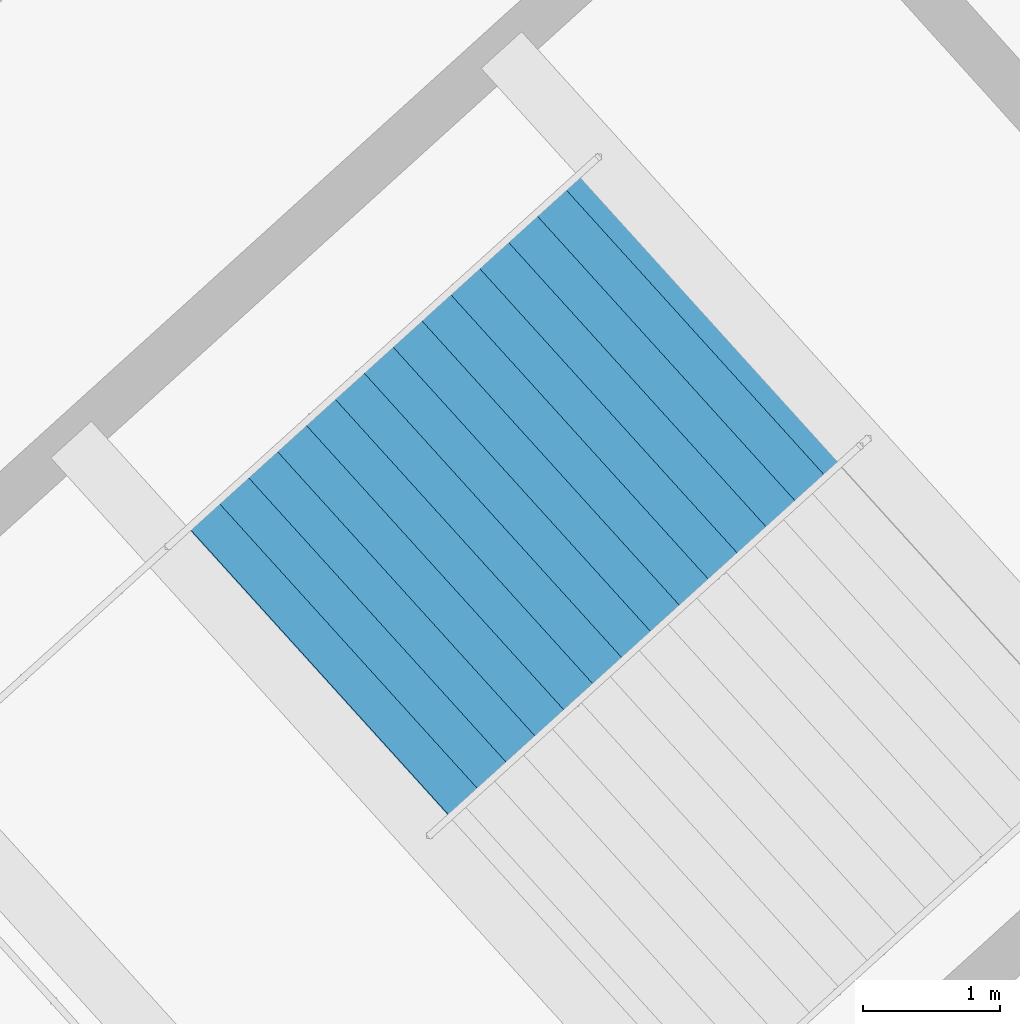
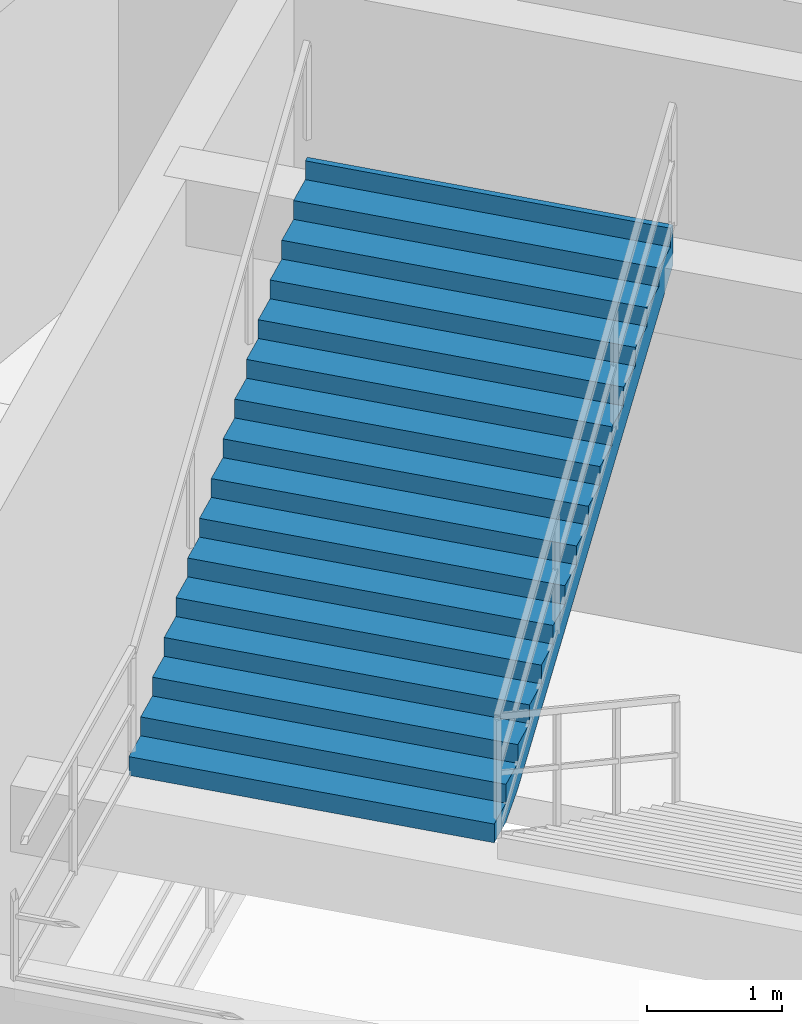
# One storey, part 91 of 103: 1 stair flight, 1 element without a shape of its own.
"""IFC4 building model written with IfcOpenShell, lengths in metres."""

from ifc_helpers import new_model, si_unit, direction, frame, origin, place, context, subcontext, project, spatial, polygons, material, type_object, element, aggregate, save


model = new_model("IFC4")

# Units and contexts
model_context = context("Model", 3, precision=1e-05, world=origin(), true_north=direction((0.0, 1.0)))
body_context = subcontext(model_context, "Body", "Model", "MODEL_VIEW")
ifc_project = project(units=[si_unit("LENGTHUNIT", "METRE"), si_unit("AREAUNIT", "SQUARE_METRE"), si_unit("VOLUMEUNIT", "CUBIC_METRE"), si_unit("PLANEANGLEUNIT", "RADIAN"), si_unit("MASSUNIT", "GRAM", prefix="KILO")], contexts=[model_context])

# Site, building, storey
site_placement = place(None, origin())
site = spatial("IfcSite", under=ifc_project, at=site_placement, CompositionType="ELEMENT")
building_placement = place(site_placement, origin())
building = spatial("IfcBuilding", under=site, at=building_placement, Name="Kazemori Nagisa Stadium", CompositionType="ELEMENT")
storey_placement = place(building_placement, frame((0.0, 0.0, 25.840087890625)))
storey = spatial("IfcBuildingStorey", under=building, at=storey_placement, Name="L05", CompositionType="ELEMENT", Elevation=25.840087890625)

# Stair, stair flight
ifc_material = material(Name="Concrete C36/45 (Fc36)", Category="concrete")
stair_type = type_object("IfcStairType", Name="Stair_CORE_32", PredefinedType="TWO_STRAIGHT_RUN_STAIR", material=ifc_material)
stair_placement = place(storey_placement, origin())
stair = element("IfcStair", 1, at=stair_placement, inside=storey, type_object=stair_type, Name="Exit stair ST02 L05", PredefinedType="TWO_STRAIGHT_RUN_STAIR")
stair_flight_type = type_object("IfcStairFlightType", Name="Flight_CORE_16", PredefinedType="STRAIGHT", material=ifc_material)
stair_flight_placement = place(storey_placement, frame((58.0458984375, 163.74609375, 2.719970703125), z_axis=(0.0, 0.0, 1.0), x_axis=(0.741328742395, 0.671142083093, 0.0)))
stair_flight = element("IfcStairFlight", 2, at=stair_flight_placement, type_object=stair_flight_type, Name="Exit stair ST02 L05 flight 2", NumberOfRisers=16, NumberOfTreads=15, PredefinedType="STRAIGHT", RiserHeight=0.17, TreadLength=0.285, context=body_context, shape_type="Tessellation", body=[
    polygons([(0.0, -1.425048828125, 0.0), (0.0, -1.425048828125, 0.169921875), (0.284912109375, -1.425048828125, 0.169921875), (0.284912109375, -1.425048828125, 0.340087890625), (0.570068359375, -1.425048828125, 0.340087890625), (0.570068359375, -1.425048828125, 0.510009765625), (0.85498046875, -1.425048828125, 0.510009765625), (0.85498046875, -1.425048828125, 0.679931640625), (1.139892578125, -1.425048828125, 0.679931640625), (1.139892578125, -1.425048828125, 0.85009765625), (1.425048828125, -1.425048828125, 0.85009765625), (1.425048828125, -1.425048828125, 1.02001953125), (1.7099609375, -1.425048828125, 1.02001953125), (1.7099609375, -1.425048828125, 1.18994140625), (1.9951171875, -1.425048828125, 1.18994140625), (1.9951171875, -1.425048828125, 1.360107421875), (2.280029296875, -1.425048828125, 1.360107421875), (2.280029296875, -1.425048828125, 1.530029296875), (2.56494140625, -1.425048828125, 1.530029296875), (2.56494140625, -1.425048828125, 1.699951171875), (2.85009765625, -1.425048828125, 1.699951171875), (2.85009765625, -1.425048828125, 1.8701171875), (3.135009765625, -1.425048828125, 1.8701171875), (3.135009765625, -1.425048828125, 2.0400390625), (3.419921875, -1.425048828125, 2.0400390625), (3.419921875, -1.425048828125, 2.2099609375), (3.705078125, -1.425048828125, 2.2099609375), (3.705078125, -1.425048828125, 2.3798828125), (3.989990234375, -1.425048828125, 2.3798828125), (3.989990234375, -1.425048828125, 2.550048828125), (4.27490234375, -1.425048828125, 2.550048828125), (4.27490234375, -1.425048828125, 2.719970703125), (4.324951171875, -1.425048828125, 2.719970703125), (4.324951171875, -1.425048828125, 2.346923828125), (4.27490234375, -1.425048828125, 2.317138671875), (3.989990234375, -1.425048828125, 2.147216796875), (3.705078125, -1.425048828125, 1.977294921875), (3.419921875, -1.425048828125, 1.80712890625), (3.135009765625, -1.425048828125, 1.63720703125), (2.85009765625, -1.425048828125, 1.46728515625), (2.56494140625, -1.425048828125, 1.297119140625), (2.280029296875, -1.425048828125, 1.127197265625), (1.9951171875, -1.425048828125, 0.957275390625), (1.7099609375, -1.425048828125, 0.787109375), (1.425048828125, -1.425048828125, 0.6171875), (1.139892578125, -1.425048828125, 0.447265625), (0.85498046875, -1.425048828125, 0.277099609375), (0.570068359375, -1.425048828125, 0.107177734375), (0.284912109375, -1.425048828125, 0.0), (0.0, -0.08544921875, 0.0), (0.0, -0.08544921875, 0.169921875), (0.284912109375, -0.08544921875, 0.169921875), (0.284912109375, -0.08544921875, 0.340087890625), (0.570068359375, -0.08544921875, 0.340087890625), (0.570068359375, -0.08544921875, 0.510009765625), (0.85498046875, -0.08544921875, 0.510009765625), (0.85498046875, -0.08544921875, 0.679931640625), (1.139892578125, -0.08544921875, 0.679931640625), (1.139892578125, -0.08544921875, 0.85009765625), (1.425048828125, -0.08544921875, 0.85009765625), (1.425048828125, -0.08544921875, 1.02001953125), (1.7099609375, -0.08544921875, 1.02001953125), (1.7099609375, -0.08544921875, 1.18994140625), (1.9951171875, -0.08544921875, 1.18994140625), (1.9951171875, -0.08544921875, 1.360107421875), (2.280029296875, -0.08544921875, 1.360107421875), (2.280029296875, -0.08544921875, 1.530029296875), (2.56494140625, -0.08544921875, 1.530029296875), (2.56494140625, -0.08544921875, 1.699951171875), (2.85009765625, -0.08544921875, 1.699951171875), (2.85009765625, -0.08544921875, 1.8701171875), (3.135009765625, -0.08544921875, 1.8701171875), (3.135009765625, -0.08544921875, 2.0400390625), (3.419921875, -0.08544921875, 2.0400390625), (3.419921875, -0.08544921875, 2.2099609375), (3.705078125, -0.08544921875, 2.2099609375), (3.705078125, -0.08544921875, 2.3798828125), (3.989990234375, -0.08544921875, 2.3798828125), (3.989990234375, -0.08544921875, 2.550048828125), (4.27490234375, -0.08544921875, 2.550048828125), (4.27490234375, -0.08544921875, 2.719970703125), (4.324951171875, -0.08544921875, 2.719970703125), (4.324951171875, -0.08544921875, 2.346923828125), (4.27490234375, -0.08544921875, 2.317138671875), (3.989990234375, -0.08544921875, 2.147216796875), (3.705078125, -0.08544921875, 1.977294921875), (3.419921875, -0.08544921875, 1.80712890625), (3.135009765625, -0.08544921875, 1.63720703125), (2.85009765625, -0.08544921875, 1.46728515625), (2.56494140625, -0.08544921875, 1.297119140625), (2.280029296875, -0.08544921875, 1.127197265625), (1.9951171875, -0.08544921875, 0.957275390625), (1.7099609375, -0.08544921875, 0.787109375), (1.425048828125, -0.08544921875, 0.6171875), (1.139892578125, -0.08544921875, 0.447265625), (0.85498046875, -0.08544921875, 0.277099609375), (0.570068359375, -0.08544921875, 0.107177734375), (0.284912109375, -0.08544921875, 0.0), (0.0, 0.0, 0.0), (0.0, 0.0, 0.169921875), (0.284912109375, 0.0, 0.169921875), (0.284912109375, 0.0, 0.340087890625), (0.570068359375, 0.0, 0.340087890625), (0.570068359375, 0.0, 0.510009765625), (0.85498046875, 0.0, 0.510009765625), (0.85498046875, 0.0, 0.679931640625), (1.139892578125, 0.0, 0.679931640625), (1.139892578125, 0.0, 0.85009765625), (1.425048828125, 0.0, 0.85009765625), (1.425048828125, 0.0, 1.02001953125), (1.7099609375, 0.0, 1.02001953125), (1.7099609375, 0.0, 1.18994140625), (1.9951171875, 0.0, 1.18994140625), (1.9951171875, 0.0, 1.360107421875), (2.280029296875, 0.0, 1.360107421875), (2.280029296875, 0.0, 1.530029296875), (2.56494140625, 0.0, 1.530029296875), (2.56494140625, 0.0, 1.699951171875), (2.85009765625, 0.0, 1.699951171875), (2.85009765625, 0.0, 1.8701171875), (3.135009765625, 0.0, 1.8701171875), (3.135009765625, 0.0, 2.0400390625), (3.419921875, 0.0, 2.0400390625), (3.419921875, 0.0, 2.2099609375), (3.705078125, 0.0, 2.2099609375), (3.705078125, 0.0, 2.3798828125), (3.989990234375, 0.0, 2.3798828125), (3.989990234375, 0.0, 2.550048828125), (4.27490234375, 0.0, 2.550048828125), (4.27490234375, 0.0, 2.719970703125), (4.324951171875, 0.0, 2.719970703125), (4.324951171875, 0.0, 2.346923828125), (4.27490234375, 0.0, 2.317138671875), (3.989990234375, 0.0, 2.147216796875), (3.705078125, 0.0, 1.977294921875), (3.419921875, 0.0, 1.80712890625), (3.135009765625, 0.0, 1.63720703125), (2.85009765625, 0.0, 1.46728515625), (2.56494140625, 0.0, 1.297119140625), (2.280029296875, 0.0, 1.127197265625), (1.9951171875, 0.0, 0.957275390625), (1.7099609375, 0.0, 0.787109375), (1.425048828125, 0.0, 0.6171875), (1.139892578125, 0.0, 0.447265625), (0.85498046875, 0.0, 0.277099609375), (0.570068359375, 0.0, 0.107177734375), (0.284912109375, 0.0, 0.0), (0.0, 0.08544921875, 0.0), (0.0, 0.08544921875, 0.169921875), (0.284912109375, 0.08544921875, 0.169921875), (0.284912109375, 0.08544921875, 0.340087890625), (0.570068359375, 0.08544921875, 0.340087890625), (0.570068359375, 0.08544921875, 0.510009765625), (0.85498046875, 0.08544921875, 0.510009765625), (0.85498046875, 0.08544921875, 0.679931640625), (1.139892578125, 0.08544921875, 0.679931640625), (1.139892578125, 0.08544921875, 0.85009765625), (1.425048828125, 0.08544921875, 0.85009765625), (1.425048828125, 0.08544921875, 1.02001953125), (1.7099609375, 0.08544921875, 1.02001953125), (1.7099609375, 0.08544921875, 1.18994140625), (1.9951171875, 0.08544921875, 1.18994140625), (1.9951171875, 0.08544921875, 1.360107421875), (2.280029296875, 0.08544921875, 1.360107421875), (2.280029296875, 0.08544921875, 1.530029296875), (2.56494140625, 0.08544921875, 1.530029296875), (2.56494140625, 0.08544921875, 1.699951171875), (2.85009765625, 0.08544921875, 1.699951171875), (2.85009765625, 0.08544921875, 1.8701171875), (3.135009765625, 0.08544921875, 1.8701171875), (3.135009765625, 0.08544921875, 2.0400390625), (3.419921875, 0.08544921875, 2.0400390625), (3.419921875, 0.08544921875, 2.2099609375), (3.705078125, 0.08544921875, 2.2099609375), (3.705078125, 0.08544921875, 2.3798828125), (3.989990234375, 0.08544921875, 2.3798828125), (3.989990234375, 0.08544921875, 2.550048828125), (4.27490234375, 0.08544921875, 2.550048828125), (4.27490234375, 0.08544921875, 2.719970703125), (4.324951171875, 0.08544921875, 2.719970703125), (4.324951171875, 0.08544921875, 2.346923828125), (4.27490234375, 0.08544921875, 2.317138671875), (3.989990234375, 0.08544921875, 2.147216796875), (3.705078125, 0.08544921875, 1.977294921875), (3.419921875, 0.08544921875, 1.80712890625), (3.135009765625, 0.08544921875, 1.63720703125), (2.85009765625, 0.08544921875, 1.46728515625), (2.56494140625, 0.08544921875, 1.297119140625), (2.280029296875, 0.08544921875, 1.127197265625), (1.9951171875, 0.08544921875, 0.957275390625), (1.7099609375, 0.08544921875, 0.787109375), (1.425048828125, 0.08544921875, 0.6171875), (1.139892578125, 0.08544921875, 0.447265625), (0.85498046875, 0.08544921875, 0.277099609375), (0.570068359375, 0.08544921875, 0.107177734375), (0.284912109375, 0.08544921875, 0.0), (0.0, 1.425048828125, 0.0), (0.0, 1.425048828125, 0.169921875), (0.284912109375, 1.425048828125, 0.169921875), (0.284912109375, 1.425048828125, 0.340087890625), (0.570068359375, 1.425048828125, 0.340087890625), (0.570068359375, 1.425048828125, 0.510009765625), (0.85498046875, 1.425048828125, 0.510009765625), (0.85498046875, 1.425048828125, 0.679931640625), (1.139892578125, 1.425048828125, 0.679931640625), (1.139892578125, 1.425048828125, 0.85009765625), (1.425048828125, 1.425048828125, 0.85009765625), (1.425048828125, 1.425048828125, 1.02001953125), (1.7099609375, 1.425048828125, 1.02001953125), (1.7099609375, 1.425048828125, 1.18994140625), (1.9951171875, 1.425048828125, 1.18994140625), (1.9951171875, 1.425048828125, 1.360107421875), (2.280029296875, 1.425048828125, 1.360107421875), (2.280029296875, 1.425048828125, 1.530029296875), (2.56494140625, 1.425048828125, 1.530029296875), (2.56494140625, 1.425048828125, 1.699951171875), (2.85009765625, 1.425048828125, 1.699951171875), (2.85009765625, 1.425048828125, 1.8701171875), (3.135009765625, 1.425048828125, 1.8701171875), (3.135009765625, 1.425048828125, 2.0400390625), (3.419921875, 1.425048828125, 2.0400390625), (3.419921875, 1.425048828125, 2.2099609375), (3.705078125, 1.425048828125, 2.2099609375), (3.705078125, 1.425048828125, 2.3798828125), (3.989990234375, 1.425048828125, 2.3798828125), (3.989990234375, 1.425048828125, 2.550048828125), (4.27490234375, 1.425048828125, 2.550048828125), (4.27490234375, 1.425048828125, 2.719970703125), (4.324951171875, 1.425048828125, 2.719970703125), (4.324951171875, 1.425048828125, 2.346923828125), (4.27490234375, 1.425048828125, 2.317138671875), (3.989990234375, 1.425048828125, 2.147216796875), (3.705078125, 1.425048828125, 1.977294921875), (3.419921875, 1.425048828125, 1.80712890625), (3.135009765625, 1.425048828125, 1.63720703125), (2.85009765625, 1.425048828125, 1.46728515625), (2.56494140625, 1.425048828125, 1.297119140625), (2.280029296875, 1.425048828125, 1.127197265625), (1.9951171875, 1.425048828125, 0.957275390625), (1.7099609375, 1.425048828125, 0.787109375), (1.425048828125, 1.425048828125, 0.6171875), (1.139892578125, 1.425048828125, 0.447265625), (0.85498046875, 1.425048828125, 0.277099609375), (0.570068359375, 1.425048828125, 0.107177734375), (0.284912109375, 1.425048828125, 0.0)], [[[1, 2, 51]], [[1, 51, 50]], [[2, 3, 52]], [[2, 52, 51]], [[3, 4, 53]], [[3, 53, 52]], [[4, 5, 54]], [[4, 54, 53]], [[5, 6, 55]], [[5, 55, 54]], [[6, 7, 56]], [[6, 56, 55]], [[7, 8, 57]], [[7, 57, 56]], [[8, 9, 58]], [[8, 58, 57]], [[9, 10, 59]], [[9, 59, 58]], [[10, 11, 60]], [[10, 60, 59]], [[11, 12, 61]], [[11, 61, 60]], [[12, 13, 62]], [[12, 62, 61]], [[13, 14, 63]], [[13, 63, 62]], [[14, 15, 64]], [[14, 64, 63]], [[15, 16, 65]], [[15, 65, 64]], [[16, 17, 66]], [[16, 66, 65]], [[17, 18, 67]], [[17, 67, 66]], [[18, 19, 68]], [[18, 68, 67]], [[19, 20, 69]], [[19, 69, 68]], [[20, 21, 70]], [[20, 70, 69]], [[21, 22, 71]], [[21, 71, 70]], [[22, 23, 72]], [[22, 72, 71]], [[23, 24, 73]], [[23, 73, 72]], [[24, 25, 74]], [[24, 74, 73]], [[25, 26, 75]], [[25, 75, 74]], [[26, 27, 76]], [[26, 76, 75]], [[27, 28, 77]], [[27, 77, 76]], [[28, 29, 78]], [[28, 78, 77]], [[29, 30, 79]], [[29, 79, 78]], [[30, 31, 80]], [[30, 80, 79]], [[31, 32, 81]], [[31, 81, 80]], [[32, 33, 82]], [[32, 82, 81]], [[33, 34, 83]], [[33, 83, 82]], [[34, 35, 84]], [[34, 84, 83]], [[35, 36, 85]], [[35, 85, 84]], [[36, 37, 86]], [[36, 86, 85]], [[37, 38, 87]], [[37, 87, 86]], [[38, 39, 88]], [[38, 88, 87]], [[39, 40, 89]], [[39, 89, 88]], [[40, 41, 90]], [[40, 90, 89]], [[41, 42, 91]], [[41, 91, 90]], [[42, 43, 92]], [[42, 92, 91]], [[43, 44, 93]], [[43, 93, 92]], [[44, 45, 94]], [[44, 94, 93]], [[45, 46, 95]], [[45, 95, 94]], [[46, 47, 96]], [[46, 96, 95]], [[47, 48, 97]], [[47, 97, 96]], [[48, 49, 98]], [[48, 98, 97]], [[49, 1, 50]], [[49, 50, 98]], [[50, 51, 100]], [[50, 100, 99]], [[51, 52, 101]], [[51, 101, 100]], [[52, 53, 102]], [[52, 102, 101]], [[53, 54, 103]], [[53, 103, 102]], [[54, 55, 104]], [[54, 104, 103]], [[55, 56, 105]], [[55, 105, 104]], [[56, 57, 106]], [[56, 106, 105]], [[57, 58, 107]], [[57, 107, 106]], [[58, 59, 108]], [[58, 108, 107]], [[59, 60, 109]], [[59, 109, 108]], [[60, 61, 110]], [[60, 110, 109]], [[61, 62, 111]], [[61, 111, 110]], [[62, 63, 112]], [[62, 112, 111]], [[63, 64, 113]], [[63, 113, 112]], [[64, 65, 114]], [[64, 114, 113]], [[65, 66, 115]], [[65, 115, 114]], [[66, 67, 116]], [[66, 116, 115]], [[67, 68, 117]], [[67, 117, 116]], [[68, 69, 118]], [[68, 118, 117]], [[69, 70, 119]], [[69, 119, 118]], [[70, 71, 120]], [[70, 120, 119]], [[71, 72, 121]], [[71, 121, 120]], [[72, 73, 122]], [[72, 122, 121]], [[73, 74, 123]], [[73, 123, 122]], [[74, 75, 124]], [[74, 124, 123]], [[75, 76, 125]], [[75, 125, 124]], [[76, 77, 126]], [[76, 126, 125]], [[77, 78, 127]], [[77, 127, 126]], [[78, 79, 128]], [[78, 128, 127]], [[79, 80, 129]], [[79, 129, 128]], [[80, 81, 130]], [[80, 130, 129]], [[81, 82, 131]], [[81, 131, 130]], [[82, 83, 132]], [[82, 132, 131]], [[83, 84, 133]], [[83, 133, 132]], [[84, 85, 134]], [[84, 134, 133]], [[85, 86, 135]], [[85, 135, 134]], [[86, 87, 136]], [[86, 136, 135]], [[87, 88, 137]], [[87, 137, 136]], [[88, 89, 138]], [[88, 138, 137]], [[89, 90, 139]], [[89, 139, 138]], [[90, 91, 140]], [[90, 140, 139]], [[91, 92, 141]], [[91, 141, 140]], [[92, 93, 142]], [[92, 142, 141]], [[93, 94, 143]], [[93, 143, 142]], [[94, 95, 144]], [[94, 144, 143]], [[95, 96, 145]], [[95, 145, 144]], [[96, 97, 146]], [[96, 146, 145]], [[97, 98, 147]], [[97, 147, 146]], [[98, 50, 99]], [[98, 99, 147]], [[99, 100, 149]], [[99, 149, 148]], [[100, 101, 150]], [[100, 150, 149]], [[101, 102, 151]], [[101, 151, 150]], [[102, 103, 152]], [[102, 152, 151]], [[103, 104, 153]], [[103, 153, 152]], [[104, 105, 154]], [[104, 154, 153]], [[105, 106, 155]], [[105, 155, 154]], [[106, 107, 156]], [[106, 156, 155]], [[107, 108, 157]], [[107, 157, 156]], [[108, 109, 158]], [[108, 158, 157]], [[109, 110, 159]], [[109, 159, 158]], [[110, 111, 160]], [[110, 160, 159]], [[111, 112, 161]], [[111, 161, 160]], [[112, 113, 162]], [[112, 162, 161]], [[113, 114, 163]], [[113, 163, 162]], [[114, 115, 164]], [[114, 164, 163]], [[115, 116, 165]], [[115, 165, 164]], [[116, 117, 166]], [[116, 166, 165]], [[117, 118, 167]], [[117, 167, 166]], [[118, 119, 168]], [[118, 168, 167]], [[119, 120, 169]], [[119, 169, 168]], [[120, 121, 170]], [[120, 170, 169]], [[121, 122, 171]], [[121, 171, 170]], [[122, 123, 172]], [[122, 172, 171]], [[123, 124, 173]], [[123, 173, 172]], [[124, 125, 174]], [[124, 174, 173]], [[125, 126, 175]], [[125, 175, 174]], [[126, 127, 176]], [[126, 176, 175]], [[127, 128, 177]], [[127, 177, 176]], [[128, 129, 178]], [[128, 178, 177]], [[129, 130, 179]], [[129, 179, 178]], [[130, 131, 180]], [[130, 180, 179]], [[131, 132, 181]], [[131, 181, 180]], [[132, 133, 182]], [[132, 182, 181]], [[133, 134, 183]], [[133, 183, 182]], [[134, 135, 184]], [[134, 184, 183]], [[135, 136, 185]], [[135, 185, 184]], [[136, 137, 186]], [[136, 186, 185]], [[137, 138, 187]], [[137, 187, 186]], [[138, 139, 188]], [[138, 188, 187]], [[139, 140, 189]], [[139, 189, 188]], [[140, 141, 190]], [[140, 190, 189]], [[141, 142, 191]], [[141, 191, 190]], [[142, 143, 192]], [[142, 192, 191]], [[143, 144, 193]], [[143, 193, 192]], [[144, 145, 194]], [[144, 194, 193]], [[145, 146, 195]], [[145, 195, 194]], [[146, 147, 196]], [[146, 196, 195]], [[147, 99, 148]], [[147, 148, 196]], [[148, 149, 198]], [[148, 198, 197]], [[149, 150, 199]], [[149, 199, 198]], [[150, 151, 200]], [[150, 200, 199]], [[151, 152, 201]], [[151, 201, 200]], [[152, 153, 202]], [[152, 202, 201]], [[153, 154, 203]], [[153, 203, 202]], [[154, 155, 204]], [[154, 204, 203]], [[155, 156, 205]], [[155, 205, 204]], [[156, 157, 206]], [[156, 206, 205]], [[157, 158, 207]], [[157, 207, 206]], [[158, 159, 208]], [[158, 208, 207]], [[159, 160, 209]], [[159, 209, 208]], [[160, 161, 210]], [[160, 210, 209]], [[161, 162, 211]], [[161, 211, 210]], [[162, 163, 212]], [[162, 212, 211]], [[163, 164, 213]], [[163, 213, 212]], [[164, 165, 214]], [[164, 214, 213]], [[165, 166, 215]], [[165, 215, 214]], [[166, 167, 216]], [[166, 216, 215]], [[167, 168, 217]], [[167, 217, 216]], [[168, 169, 218]], [[168, 218, 217]], [[169, 170, 219]], [[169, 219, 218]], [[170, 171, 220]], [[170, 220, 219]], [[171, 172, 221]], [[171, 221, 220]], [[172, 173, 222]], [[172, 222, 221]], [[173, 174, 223]], [[173, 223, 222]], [[174, 175, 224]], [[174, 224, 223]], [[175, 176, 225]], [[175, 225, 224]], [[176, 177, 226]], [[176, 226, 225]], [[177, 178, 227]], [[177, 227, 226]], [[178, 179, 228]], [[178, 228, 227]], [[179, 180, 229]], [[179, 229, 228]], [[180, 181, 230]], [[180, 230, 229]], [[181, 182, 231]], [[181, 231, 230]], [[182, 183, 232]], [[182, 232, 231]], [[183, 184, 233]], [[183, 233, 232]], [[184, 185, 234]], [[184, 234, 233]], [[185, 186, 235]], [[185, 235, 234]], [[186, 187, 236]], [[186, 236, 235]], [[187, 188, 237]], [[187, 237, 236]], [[188, 189, 238]], [[188, 238, 237]], [[189, 190, 239]], [[189, 239, 238]], [[190, 191, 240]], [[190, 240, 239]], [[191, 192, 241]], [[191, 241, 240]], [[192, 193, 242]], [[192, 242, 241]], [[193, 194, 243]], [[193, 243, 242]], [[194, 195, 244]], [[194, 244, 243]], [[195, 196, 245]], [[195, 245, 244]], [[196, 148, 197]], [[196, 197, 245]], [[3, 2, 1]], [[197, 198, 199]], [[49, 3, 1]], [[197, 199, 245]], [[48, 3, 49]], [[245, 199, 244]], [[5, 3, 48]], [[244, 199, 201]], [[5, 4, 3]], [[199, 200, 201]], [[47, 5, 48]], [[244, 201, 243]], [[7, 5, 47]], [[243, 201, 203]], [[7, 6, 5]], [[201, 202, 203]], [[46, 7, 47]], [[243, 203, 242]], [[9, 7, 46]], [[242, 203, 205]], [[9, 8, 7]], [[203, 204, 205]], [[45, 9, 46]], [[242, 205, 241]], [[11, 9, 45]], [[241, 205, 207]], [[11, 10, 9]], [[205, 206, 207]], [[44, 11, 45]], [[241, 207, 240]], [[13, 11, 44]], [[240, 207, 209]], [[13, 12, 11]], [[207, 208, 209]], [[43, 13, 44]], [[240, 209, 239]], [[15, 13, 43]], [[239, 209, 211]], [[15, 14, 13]], [[209, 210, 211]], [[42, 15, 43]], [[239, 211, 238]], [[17, 15, 42]], [[238, 211, 213]], [[17, 16, 15]], [[211, 212, 213]], [[41, 17, 42]], [[238, 213, 237]], [[19, 17, 41]], [[237, 213, 215]], [[19, 18, 17]], [[213, 214, 215]], [[40, 19, 41]], [[237, 215, 236]], [[21, 19, 40]], [[236, 215, 217]], [[21, 20, 19]], [[215, 216, 217]], [[39, 21, 40]], [[236, 217, 235]], [[23, 21, 39]], [[235, 217, 219]], [[23, 22, 21]], [[217, 218, 219]], [[38, 23, 39]], [[235, 219, 234]], [[25, 23, 38]], [[234, 219, 221]], [[25, 24, 23]], [[219, 220, 221]], [[37, 25, 38]], [[234, 221, 233]], [[27, 25, 37]], [[233, 221, 223]], [[27, 26, 25]], [[221, 222, 223]], [[36, 27, 37]], [[233, 223, 232]], [[29, 27, 36]], [[232, 223, 225]], [[29, 28, 27]], [[223, 224, 225]], [[35, 29, 36]], [[232, 225, 231]], [[31, 29, 35]], [[231, 225, 227]], [[31, 30, 29]], [[225, 226, 227]], [[34, 31, 35]], [[231, 227, 230]], [[33, 31, 34]], [[230, 227, 229]], [[33, 32, 31]], [[227, 228, 229]]], closed=True),
])
aggregate(stair, [stair_flight])

save(model, "model.ifc")
